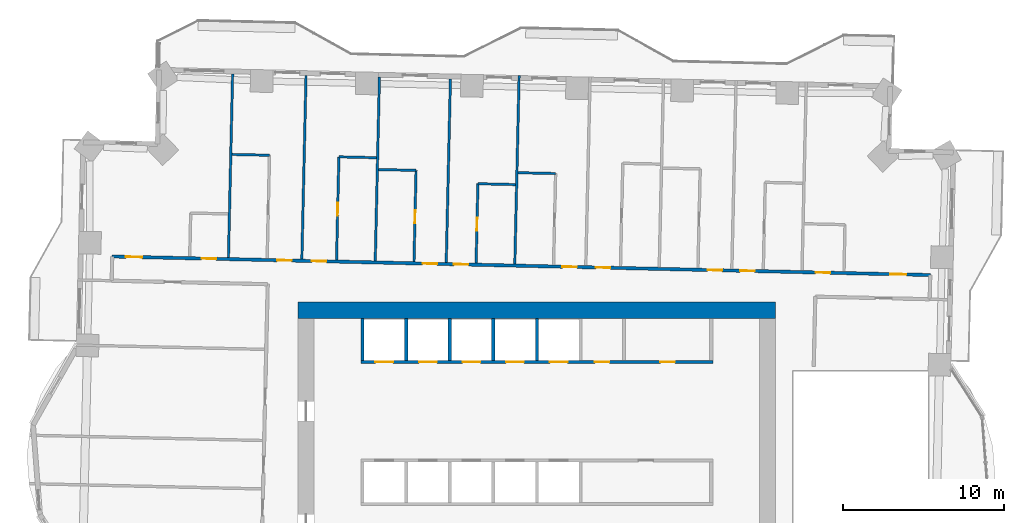
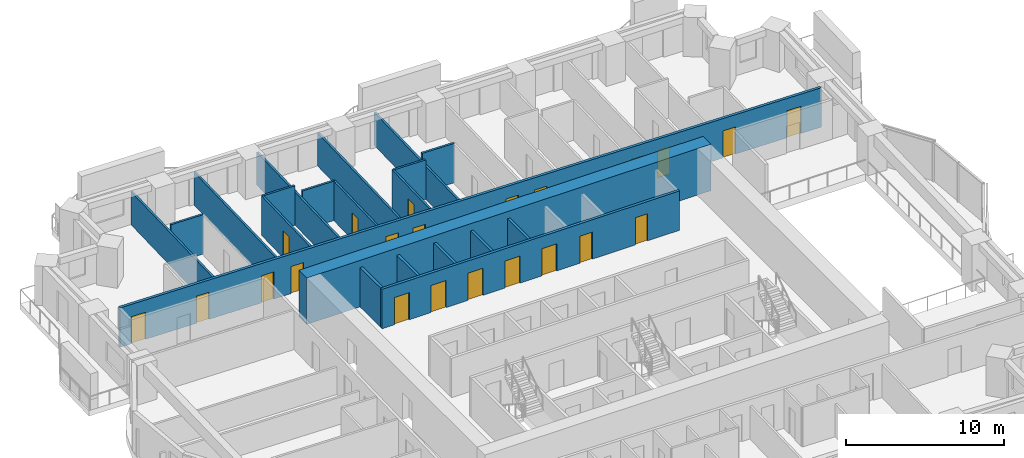
# One storey, part 10 of 16: 22 doors, 21 walls, 22 openings.
"""IFC4 building model written with IfcOpenShell, lengths in metres."""

from ifc_helpers import new_model, si_unit, direction, frame, frame_2d, origin, place, context, subcontext, project, spatial, rectangle, extrude, material, layer, layer_set, type_object, element, fill, save


model = new_model("IFC4")

# Units and contexts
model_context = context("Model", 3, precision=1e-05, world=origin(), true_north=direction((0.0, 1.0)))
body_context = subcontext(model_context, "Body", "Model", "MODEL_VIEW")
ifc_project = project(units=[si_unit("LENGTHUNIT", "METRE"), si_unit("AREAUNIT", "SQUARE_METRE"), si_unit("VOLUMEUNIT", "CUBIC_METRE"), si_unit("PLANEANGLEUNIT", "RADIAN"), si_unit("MASSUNIT", "GRAM", prefix="KILO")], contexts=[model_context])

# Site, building, storey
site_placement = place(None, origin())
site = spatial("IfcSite", under=ifc_project, at=site_placement, CompositionType="ELEMENT")
building_placement = place(site_placement, origin())
building = spatial("IfcBuilding", under=site, at=building_placement, Name="Mangrove Gate Tower", CompositionType="ELEMENT")
storey_placement = place(building_placement, frame((0.0, 0.0, 101.89990234375)))
storey = spatial("IfcBuildingStorey", under=building, at=storey_placement, Name="L25", CompositionType="ELEMENT", Elevation=101.89990234375)

# Wall, openings, doors
ifc_material_1 = material(Name="Concrete C70/85", Category="concrete")
ifc_layer_1 = layer(ifc_material_1, 0.199951171875)
ifc_layer_set_1 = layer_set([ifc_layer_1], Name="Core shaft wall 200 C70/85")
wall_type_1 = type_object("IfcWallType", Name="Core shaft wall 200 C70/85", PredefinedType="SHEAR", material=ifc_layer_set_1)
wall_1_placement = place(storey_placement, frame((-10.89990234375, 8.10009765625, 0.0), z_axis=(0.0, 0.0, 1.0), x_axis=(1.0, 0.0, 0.0)))
wall_1 = element("IfcWall", 1, at=wall_1_placement, inside=storey, type_object=wall_type_1, Name="WALL-L25-CORE-8", PredefinedType="SHEAR", context=body_context, shape_type="SweptSolid", body=[
    extrude(rectangle(XDim=21.7998046875, YDim=0.199951171875, at=frame_2d((10.89990234375, 0.0))), origin(), (0.0, 0.0, 1.0), 3.050048828125),
])
opening_1_placement = place(wall_1_placement, frame((0.89990234375, 0.0, 0.0)))
opening_1 = element("IfcOpeningElement", 2, at=opening_1_placement, cuts=wall_1, Name="Opening LD", PredefinedType="OPENING", context=body_context, shape_type="SweptSolid", body=[
    extrude(rectangle(XDim=1.10009765625, YDim=2.10009765625, at=frame_2d((0.550048828125, 1.050048828125))), frame((0.0, 0.10986328125, 0.0), z_axis=(0.0, -1.0, 0.0), x_axis=(1.0, 0.0, 0.0)), (0.0, 0.0, 1.0), 0.219970703125),
])
opening_2_placement = place(wall_1_placement, frame((3.60009765625, 0.0, 0.0)))
opening_2 = element("IfcOpeningElement", 3, at=opening_2_placement, cuts=wall_1, Name="Opening LD", PredefinedType="OPENING", context=body_context, shape_type="SweptSolid", body=[
    extrude(rectangle(XDim=1.10009765625, YDim=2.10009765625, at=frame_2d((0.550048828125, 1.050048828125))), frame((0.0, 0.10986328125, 0.0), z_axis=(0.0, -1.0, 0.0), x_axis=(1.0, 0.0, 0.0)), (0.0, 0.0, 1.0), 0.219970703125),
])
opening_3_placement = place(wall_1_placement, frame((6.300048828125, 0.0, 0.0)))
opening_3 = element("IfcOpeningElement", 4, at=opening_3_placement, cuts=wall_1, Name="Opening LD", PredefinedType="OPENING", context=body_context, shape_type="SweptSolid", body=[
    extrude(rectangle(XDim=1.10009765625, YDim=2.10009765625, at=frame_2d((0.550048828125, 1.050048828125))), frame((0.0, 0.10986328125, 0.0), z_axis=(0.0, -1.0, 0.0), x_axis=(1.0, 0.0, 0.0)), (0.0, 0.0, 1.0), 0.219970703125),
])
opening_4_placement = place(wall_1_placement, frame((9.0, 0.0, 0.0)))
opening_4 = element("IfcOpeningElement", 5, at=opening_4_placement, cuts=wall_1, Name="Opening LD", PredefinedType="OPENING", context=body_context, shape_type="SweptSolid", body=[
    extrude(rectangle(XDim=1.10009765625, YDim=2.10009765625, at=frame_2d((0.550048828125, 1.050048828125))), frame((0.0, 0.10986328125, 0.0), z_axis=(0.0, -1.0, 0.0), x_axis=(1.0, 0.0, 0.0)), (0.0, 0.0, 1.0), 0.219970703125),
])
opening_5_placement = place(wall_1_placement, frame((11.699951171875, 0.0, 0.0)))
opening_5 = element("IfcOpeningElement", 6, at=opening_5_placement, cuts=wall_1, Name="Opening LD", PredefinedType="OPENING", context=body_context, shape_type="SweptSolid", body=[
    extrude(rectangle(XDim=1.10009765625, YDim=2.10009765625, at=frame_2d((0.550048828125, 1.050048828125))), frame((0.0, 0.10986328125, 0.0), z_axis=(0.0, -1.0, 0.0), x_axis=(1.0, 0.0, 0.0)), (0.0, 0.0, 1.0), 0.219970703125),
])
opening_6_placement = place(wall_1_placement, frame((14.5, 0.0, 0.0)))
opening_6 = element("IfcOpeningElement", 7, at=opening_6_placement, cuts=wall_1, Name="Opening KD", PredefinedType="OPENING", context=body_context, shape_type="SweptSolid", body=[
    extrude(rectangle(XDim=0.89990234375, YDim=2.10009765625, at=frame_2d((0.449951171875, 1.050048828125))), frame((0.0, 0.10986328125, 0.0), z_axis=(0.0, -1.0, 0.0), x_axis=(1.0, 0.0, 0.0)), (0.0, 0.0, 1.0), 0.219970703125),
])
opening_7_placement = place(wall_1_placement, frame((18.550048828125, 0.0, 0.0)))
opening_7 = element("IfcOpeningElement", 8, at=opening_7_placement, cuts=wall_1, Name="Opening RD", PredefinedType="OPENING", context=body_context, shape_type="SweptSolid", body=[
    extrude(rectangle(XDim=0.89990234375, YDim=2.10009765625, at=frame_2d((0.449951171875, 1.050048828125))), frame((0.0, 0.10986328125, 0.0), z_axis=(0.0, -1.0, 0.0), x_axis=(1.0, 0.0, 0.0)), (0.0, 0.0, 1.0), 0.219970703125),
])
ifc_material_2 = material(Name="Fire-rated steel door set", Category="steel")
door_type_1 = type_object("IfcDoorType", Name="Core room door FD30S 900x2100", OperationType="SINGLE_SWING_RIGHT", PredefinedType="DOOR", material=ifc_material_2)
door_1_placement = place(opening_6_placement, origin())
door_1 = element("IfcDoor", 9, at=door_1_placement, inside=storey, type_object=door_type_1, Name="Core room door Linen store", OperationType="SINGLE_SWING_RIGHT", OverallHeight=2.10009765625, OverallWidth=0.89990234375, PredefinedType="DOOR", context=body_context, shape_type="SweptSolid", body=[
    extrude(rectangle(XDim=0.89990234375, YDim=2.10009765625, at=frame_2d((0.449951171875, 1.050048828125))), frame((0.0, 0.02490234375, 0.0), z_axis=(0.0, -1.0, 0.0), x_axis=(1.0, 0.0, 0.0)), (0.0, 0.0, 1.0), 0.050048828125),
])
fill(opening_6, door_1)
ifc_material_3 = material(Name="Stainless steel 316", Category="steel")
door_type_2 = type_object("IfcDoorType", Name="Lift landing door 1100x2100", OperationType="SLIDING_TO_LEFT", PredefinedType="DOOR", material=ifc_material_3)
door_2_placement = place(opening_1_placement, origin())
door_2 = element("IfcDoor", 10, at=door_2_placement, inside=storey, type_object=door_type_2, Name="Landing door LD P06", OperationType="SLIDING_TO_LEFT", OverallHeight=2.10009765625, OverallWidth=1.10009765625, PredefinedType="DOOR", context=body_context, shape_type="SweptSolid", body=[
    extrude(rectangle(XDim=1.10009765625, YDim=2.10009765625, at=frame_2d((0.550048828125, 1.050048828125))), frame((0.0, 0.02490234375, 0.0), z_axis=(0.0, -1.0, 0.0), x_axis=(1.0, 0.0, 0.0)), (0.0, 0.0, 1.0), 0.050048828125),
])
fill(opening_1, door_2)
door_3_placement = place(opening_2_placement, origin())
door_3 = element("IfcDoor", 11, at=door_3_placement, inside=storey, type_object=door_type_2, Name="Landing door LD P07", OperationType="SLIDING_TO_LEFT", OverallHeight=2.10009765625, OverallWidth=1.10009765625, PredefinedType="DOOR", context=body_context, shape_type="SweptSolid", body=[
    extrude(rectangle(XDim=1.10009765625, YDim=2.10009765625, at=frame_2d((0.550048828125, 1.050048828125))), frame((0.0, 0.02490234375, 0.0), z_axis=(0.0, -1.0, 0.0), x_axis=(1.0, 0.0, 0.0)), (0.0, 0.0, 1.0), 0.050048828125),
])
fill(opening_2, door_3)
door_4_placement = place(opening_3_placement, origin())
door_4 = element("IfcDoor", 12, at=door_4_placement, inside=storey, type_object=door_type_2, Name="Landing door LD P08", OperationType="SLIDING_TO_LEFT", OverallHeight=2.10009765625, OverallWidth=1.10009765625, PredefinedType="DOOR", context=body_context, shape_type="SweptSolid", body=[
    extrude(rectangle(XDim=1.10009765625, YDim=2.10009765625, at=frame_2d((0.550048828125, 1.050048828125))), frame((0.0, 0.02490234375, 0.0), z_axis=(0.0, -1.0, 0.0), x_axis=(1.0, 0.0, 0.0)), (0.0, 0.0, 1.0), 0.050048828125),
])
fill(opening_3, door_4)
door_5_placement = place(opening_4_placement, origin())
door_5 = element("IfcDoor", 13, at=door_5_placement, inside=storey, type_object=door_type_2, Name="Landing door LD P09", OperationType="SLIDING_TO_LEFT", OverallHeight=2.10009765625, OverallWidth=1.10009765625, PredefinedType="DOOR", context=body_context, shape_type="SweptSolid", body=[
    extrude(rectangle(XDim=1.10009765625, YDim=2.10009765625, at=frame_2d((0.550048828125, 1.050048828125))), frame((0.0, 0.02490234375, 0.0), z_axis=(0.0, -1.0, 0.0), x_axis=(1.0, 0.0, 0.0)), (0.0, 0.0, 1.0), 0.050048828125),
])
fill(opening_4, door_5)
door_6_placement = place(opening_5_placement, origin())
door_6 = element("IfcDoor", 14, at=door_6_placement, inside=storey, type_object=door_type_2, Name="Landing door LD P10", OperationType="SLIDING_TO_LEFT", OverallHeight=2.10009765625, OverallWidth=1.10009765625, PredefinedType="DOOR", context=body_context, shape_type="SweptSolid", body=[
    extrude(rectangle(XDim=1.10009765625, YDim=2.10009765625, at=frame_2d((0.550048828125, 1.050048828125))), frame((0.0, 0.02490234375, 0.0), z_axis=(0.0, -1.0, 0.0), x_axis=(1.0, 0.0, 0.0)), (0.0, 0.0, 1.0), 0.050048828125),
])
fill(opening_5, door_6)
ifc_material_4 = material(Name="Fire-rated steel door set", Category="steel")
door_type_3 = type_object("IfcDoorType", Name="Riser door FD30S 900x2100", OperationType="SINGLE_SWING_LEFT", PredefinedType="DOOR", material=ifc_material_4)
door_7_placement = place(opening_7_placement, origin())
door_7 = element("IfcDoor", 15, at=door_7_placement, inside=storey, type_object=door_type_3, Name="Riser door Switch room", OperationType="SINGLE_SWING_LEFT", OverallHeight=2.10009765625, OverallWidth=0.89990234375, PredefinedType="DOOR", context=body_context, shape_type="SweptSolid", body=[
    extrude(rectangle(XDim=0.89990234375, YDim=2.10009765625, at=frame_2d((0.449951171875, 1.050048828125))), frame((0.0, 0.02490234375, 0.0), z_axis=(0.0, -1.0, 0.0), x_axis=(1.0, 0.0, 0.0)), (0.0, 0.0, 1.0), 0.050048828125),
])
fill(opening_7, door_7)

# Walls
for number, where, z_axis, x_axis, name in (
    (16, (-10.800048828125, 8.199951171875, 0.0), (0.0, 0.0, 1.0), (0.0, 1.0, 0.0), "WALL-L25-CORE-26"),
    (17, (-8.10009765625, 8.199951171875, 0.0), (0.0, 0.0, 1.0), (0.0, 1.0, 0.0), "WALL-L25-CORE-27"),
    (18, (-5.39990234375, 8.199951171875, 0.0), (0.0, 0.0, 1.0), (0.0, 1.0, 0.0), "WALL-L25-CORE-28"),
    (19, (-2.699951171875, 8.199951171875, 0.0), (0.0, 0.0, 1.0), (0.0, 1.0, 0.0), "WALL-L25-CORE-29"),
    (20, (0.0, 8.199951171875, 0.0), (0.0, 0.0, 1.0), (0.0, 1.0, 0.0), "WALL-L25-CORE-30"),
):
    element("IfcWall", number, at=place(storey_placement, frame(where, z_axis=z_axis, x_axis=x_axis)), inside=storey, type_object=wall_type_1, Name=name, PredefinedType="SHEAR", context=body_context, shape_type="SweptSolid", body=[
        extrude(rectangle(XDim=2.60009765625, YDim=0.199951171875, at=frame_2d((1.300048828125, 0.0))), origin(), (0.0, 0.0, 1.0), 3.050048828125),
    ])
ifc_material_5 = material(Name="Concrete C70/85", Category="concrete")
ifc_layer_2 = layer(ifc_material_5, 1.0)
ifc_layer_set_2 = layer_set([ifc_layer_2], Name="Core wall 1000 C70/85")
wall_type_2 = type_object("IfcWallType", Name="Core wall 1000 C70/85", PredefinedType="SHEAR", material=ifc_layer_set_2)
wall_2_placement = place(storey_placement, frame((-14.800048828125, 11.300048828125, 0.0), z_axis=(0.0, 0.0, 1.0), x_axis=(1.0, 0.0, 0.0)))
element("IfcWall", 21, at=wall_2_placement, inside=storey, type_object=wall_type_2, Name="WALL-L25-CORE-2", PredefinedType="SHEAR", context=body_context, shape_type="SweptSolid", body=[
    extrude(rectangle(XDim=29.60009765625, YDim=1.0, at=frame_2d((14.800048828125, 0.0))), origin(), (0.0, 0.0, 1.0), 3.60009765625),
])

# Wall, openings, doors
ifc_material_6 = material(Name="Gypsum board on steel stud, EI 60", Category="steel")
ifc_layer_3 = layer(ifc_material_6, 0.199951171875)
ifc_layer_set_3 = layer_set([ifc_layer_3], Name="Corridor wall EI 60")
wall_type_3 = type_object("IfcWallType", Name="Corridor wall EI 60", PredefinedType="PARTITIONING", material=ifc_layer_set_3)
wall_3_placement = place(storey_placement, frame((-26.31591796875, 14.634033203125, 0.0), z_axis=(0.0, 0.0, 1.0), x_axis=(0.999742734556, -0.02268181435, 0.0)))
wall_3 = element("IfcWall", 22, at=wall_3_placement, inside=storey, type_object=wall_type_3, Name="WALL-L25-045", PredefinedType="PARTITIONING", context=body_context, shape_type="SweptSolid", body=[
    extrude(rectangle(XDim=50.707763671875, YDim=0.199951171875, at=frame_2d((25.35400390625, 0.0))), origin(), (0.0, 0.0, 1.0), 3.050048828125),
])
opening_8_placement = place(wall_3_placement, frame((48.22900390625, 0.0, 0.0)))
opening_8 = element("IfcOpeningElement", 23, at=opening_8_placement, cuts=wall_3, Name="Opening AD", PredefinedType="OPENING", context=body_context, shape_type="SweptSolid", body=[
    extrude(rectangle(XDim=1.0, YDim=2.10009765625, at=frame_2d((0.5, 1.050048828125))), frame((0.0, 0.10986328125, 0.0), z_axis=(0.0, -1.0, 0.0), x_axis=(1.0, 0.0, 0.0)), (0.0, 0.0, 1.0), 0.219970703125),
])
opening_9_placement = place(wall_3_placement, frame((43.60009765625, 0.0, 0.0)))
opening_9 = element("IfcOpeningElement", 24, at=opening_9_placement, cuts=wall_3, Name="Opening SD", PredefinedType="OPENING", context=body_context, shape_type="SweptSolid", body=[
    extrude(rectangle(XDim=0.89990234375, YDim=2.10009765625, at=frame_2d((0.449951171875, 1.050048828125))), frame((0.0, 0.10986328125, 0.0), z_axis=(0.0, -1.0, 0.0), x_axis=(1.0, 0.0, 0.0)), (0.0, 0.0, 1.0), 0.219970703125),
])
opening_10_placement = place(wall_3_placement, frame((38.925048828125, 0.0, 0.0)))
opening_10 = element("IfcOpeningElement", 25, at=opening_10_placement, cuts=wall_3, Name="Opening BD", PredefinedType="OPENING", context=body_context, shape_type="SweptSolid", body=[
    extrude(rectangle(XDim=0.89990234375, YDim=2.10009765625, at=frame_2d((0.449951171875, 1.050048828125))), frame((0.0, 0.10986328125, 0.0), z_axis=(0.0, -1.0, 0.0), x_axis=(1.0, 0.0, 0.0)), (0.0, 0.0, 1.0), 0.219970703125),
])
opening_11_placement = place(wall_3_placement, frame((36.89990234375, 0.0, 0.0)))
opening_11 = element("IfcOpeningElement", 26, at=opening_11_placement, cuts=wall_3, Name="Opening BD", PredefinedType="OPENING", context=body_context, shape_type="SweptSolid", body=[
    extrude(rectangle(XDim=0.89990234375, YDim=2.10009765625, at=frame_2d((0.449951171875, 1.050048828125))), frame((0.0, 0.10986328125, 0.0), z_axis=(0.0, -1.0, 0.0), x_axis=(1.0, 0.0, 0.0)), (0.0, 0.0, 1.0), 0.219970703125),
])
opening_12_placement = place(wall_3_placement, frame((29.97509765625, 0.0, 0.0)))
opening_12 = element("IfcOpeningElement", 27, at=opening_12_placement, cuts=wall_3, Name="Opening BD", PredefinedType="OPENING", context=body_context, shape_type="SweptSolid", body=[
    extrude(rectangle(XDim=0.89990234375, YDim=2.10009765625, at=frame_2d((0.449951171875, 1.050048828125))), frame((0.0, 0.10986328125, 0.0), z_axis=(0.0, -1.0, 0.0), x_axis=(1.0, 0.0, 0.0)), (0.0, 0.0, 1.0), 0.219970703125),
])
opening_13_placement = place(wall_3_placement, frame((27.89990234375, 0.0, 0.0)))
opening_13 = element("IfcOpeningElement", 28, at=opening_13_placement, cuts=wall_3, Name="Opening BD", PredefinedType="OPENING", context=body_context, shape_type="SweptSolid", body=[
    extrude(rectangle(XDim=0.89990234375, YDim=2.10009765625, at=frame_2d((0.449951171875, 1.050048828125))), frame((0.0, 0.10986328125, 0.0), z_axis=(0.0, -1.0, 0.0), x_axis=(1.0, 0.0, 0.0)), (0.0, 0.0, 1.0), 0.219970703125),
])
opening_14_placement = place(wall_3_placement, frame((21.175048828125, 0.0, 0.0)))
opening_14 = element("IfcOpeningElement", 29, at=opening_14_placement, cuts=wall_3, Name="Opening BD", PredefinedType="OPENING", context=body_context, shape_type="SweptSolid", body=[
    extrude(rectangle(XDim=0.89990234375, YDim=2.10009765625, at=frame_2d((0.449951171875, 1.050048828125))), frame((0.0, 0.10986328125, 0.0), z_axis=(0.0, -1.0, 0.0), x_axis=(1.0, 0.0, 0.0)), (0.0, 0.0, 1.0), 0.219970703125),
])
opening_15_placement = place(wall_3_placement, frame((19.25, 0.0, 0.0)))
opening_15 = element("IfcOpeningElement", 30, at=opening_15_placement, cuts=wall_3, Name="Opening BD", PredefinedType="OPENING", context=body_context, shape_type="SweptSolid", body=[
    extrude(rectangle(XDim=0.89990234375, YDim=2.10009765625, at=frame_2d((0.449951171875, 1.050048828125))), frame((0.0, 0.10986328125, 0.0), z_axis=(0.0, -1.0, 0.0), x_axis=(1.0, 0.0, 0.0)), (0.0, 0.0, 1.0), 0.219970703125),
])
opening_16_placement = place(wall_3_placement, frame((12.375, 0.0, 0.0)))
opening_16 = element("IfcOpeningElement", 31, at=opening_16_placement, cuts=wall_3, Name="Opening BD", PredefinedType="OPENING", context=body_context, shape_type="SweptSolid", body=[
    extrude(rectangle(XDim=0.89990234375, YDim=2.10009765625, at=frame_2d((0.449951171875, 1.050048828125))), frame((0.0, 0.10986328125, 0.0), z_axis=(0.0, -1.0, 0.0), x_axis=(1.0, 0.0, 0.0)), (0.0, 0.0, 1.0), 0.219970703125),
])
opening_17_placement = place(wall_3_placement, frame((10.22509765625, 0.0, 0.0)))
opening_17 = element("IfcOpeningElement", 32, at=opening_17_placement, cuts=wall_3, Name="Opening BD", PredefinedType="OPENING", context=body_context, shape_type="SweptSolid", body=[
    extrude(rectangle(XDim=0.89990234375, YDim=2.10009765625, at=frame_2d((0.449951171875, 1.050048828125))), frame((0.0, 0.10986328125, 0.0), z_axis=(0.0, -1.0, 0.0), x_axis=(1.0, 0.0, 0.0)), (0.0, 0.0, 1.0), 0.219970703125),
])
opening_18_placement = place(wall_3_placement, frame((0.85009765625, 0.0, 0.0)))
opening_18 = element("IfcOpeningElement", 33, at=opening_18_placement, cuts=wall_3, Name="Opening AD", PredefinedType="OPENING", context=body_context, shape_type="SweptSolid", body=[
    extrude(rectangle(XDim=1.0, YDim=2.10009765625, at=frame_2d((0.5, 1.050048828125))), frame((0.0, 0.10986328125, 0.0), z_axis=(0.0, -1.0, 0.0), x_axis=(1.0, 0.0, 0.0)), (0.0, 0.0, 1.0), 0.219970703125),
])
opening_19_placement = place(wall_3_placement, frame((5.550048828125, 0.0, 0.0)))
opening_19 = element("IfcOpeningElement", 34, at=opening_19_placement, cuts=wall_3, Name="Opening SD", PredefinedType="OPENING", context=body_context, shape_type="SweptSolid", body=[
    extrude(rectangle(XDim=0.89990234375, YDim=2.10009765625, at=frame_2d((0.449951171875, 1.050048828125))), frame((0.0, 0.10986328125, 0.0), z_axis=(0.0, -1.0, 0.0), x_axis=(1.0, 0.0, 0.0)), (0.0, 0.0, 1.0), 0.219970703125),
])
ifc_material_7 = material(Name="Timber door leaf", Category="wood")
door_type_4 = type_object("IfcDoorType", Name="Amenity door 1000", OperationType="SINGLE_SWING_LEFT", PredefinedType="DOOR", material=ifc_material_7)
door_8_placement = place(opening_8_placement, origin())
door_8 = element("IfcDoor", 35, at=door_8_placement, inside=storey, type_object=door_type_4, Name="DOOR-L25-LNG-c3b", OperationType="SINGLE_SWING_LEFT", OverallHeight=2.10009765625, OverallWidth=1.0, PredefinedType="DOOR", context=body_context, shape_type="SweptSolid", body=[
    extrude(rectangle(XDim=1.0, YDim=2.10009765625, at=frame_2d((0.5, 1.050048828125))), frame((0.0, 0.02490234375, 0.0), z_axis=(0.0, -1.0, 0.0), x_axis=(1.0, 0.0, 0.0)), (0.0, 0.0, 1.0), 0.050048828125),
])
fill(opening_8, door_8)
door_9_placement = place(opening_18_placement, origin())
door_9 = element("IfcDoor", 36, at=door_9_placement, inside=storey, type_object=door_type_4, Name="DOOR-L25-KIT-c5a", OperationType="SINGLE_SWING_RIGHT", OverallHeight=2.10009765625, OverallWidth=1.0, PredefinedType="DOOR", context=body_context, shape_type="SweptSolid", body=[
    extrude(rectangle(XDim=1.0, YDim=2.10009765625, at=frame_2d((0.5, 1.050048828125))), frame((0.0, 0.02490234375, 0.0), z_axis=(0.0, -1.0, 0.0), x_axis=(1.0, 0.0, 0.0)), (0.0, 0.0, 1.0), 0.050048828125),
])
fill(opening_18, door_9)
ifc_material_8 = material(Name="Timber door leaf", Category="wood")
door_type_5 = type_object("IfcDoorType", Name="Bedroom door 900", OperationType="SINGLE_SWING_LEFT", PredefinedType="DOOR", material=ifc_material_8)
door_10_placement = place(opening_10_placement, origin())
door_10 = element("IfcDoor", 37, at=door_10_placement, inside=storey, type_object=door_type_5, Name="DOOR-L25-BED-c308", OperationType="SINGLE_SWING_RIGHT", OverallHeight=2.10009765625, OverallWidth=0.89990234375, PredefinedType="DOOR", context=body_context, shape_type="SweptSolid", body=[
    extrude(rectangle(XDim=0.89990234375, YDim=2.10009765625, at=frame_2d((0.449951171875, 1.050048828125))), frame((0.0, 0.02490234375, 0.0), z_axis=(0.0, -1.0, 0.0), x_axis=(1.0, 0.0, 0.0)), (0.0, 0.0, 1.0), 0.050048828125),
])
fill(opening_10, door_10)
door_11_placement = place(opening_11_placement, origin())
door_11 = element("IfcDoor", 38, at=door_11_placement, inside=storey, type_object=door_type_5, Name="DOOR-L25-BED-c309", OperationType="SINGLE_SWING_LEFT", OverallHeight=2.10009765625, OverallWidth=0.89990234375, PredefinedType="DOOR", context=body_context, shape_type="SweptSolid", body=[
    extrude(rectangle(XDim=0.89990234375, YDim=2.10009765625, at=frame_2d((0.449951171875, 1.050048828125))), frame((0.0, 0.02490234375, 0.0), z_axis=(0.0, -1.0, 0.0), x_axis=(1.0, 0.0, 0.0)), (0.0, 0.0, 1.0), 0.050048828125),
])
fill(opening_11, door_11)
door_12_placement = place(opening_12_placement, origin())
door_12 = element("IfcDoor", 39, at=door_12_placement, inside=storey, type_object=door_type_5, Name="DOOR-L25-BED-c410", OperationType="SINGLE_SWING_RIGHT", OverallHeight=2.10009765625, OverallWidth=0.89990234375, PredefinedType="DOOR", context=body_context, shape_type="SweptSolid", body=[
    extrude(rectangle(XDim=0.89990234375, YDim=2.10009765625, at=frame_2d((0.449951171875, 1.050048828125))), frame((0.0, 0.02490234375, 0.0), z_axis=(0.0, -1.0, 0.0), x_axis=(1.0, 0.0, 0.0)), (0.0, 0.0, 1.0), 0.050048828125),
])
fill(opening_12, door_12)
door_13_placement = place(opening_13_placement, origin())
door_13 = element("IfcDoor", 40, at=door_13_placement, inside=storey, type_object=door_type_5, Name="DOOR-L25-BED-c411", OperationType="SINGLE_SWING_LEFT", OverallHeight=2.10009765625, OverallWidth=0.89990234375, PredefinedType="DOOR", context=body_context, shape_type="SweptSolid", body=[
    extrude(rectangle(XDim=0.89990234375, YDim=2.10009765625, at=frame_2d((0.449951171875, 1.050048828125))), frame((0.0, 0.02490234375, 0.0), z_axis=(0.0, -1.0, 0.0), x_axis=(1.0, 0.0, 0.0)), (0.0, 0.0, 1.0), 0.050048828125),
])
fill(opening_13, door_13)
door_14_placement = place(opening_14_placement, origin())
door_14 = element("IfcDoor", 41, at=door_14_placement, inside=storey, type_object=door_type_5, Name="DOOR-L25-BED-c412", OperationType="SINGLE_SWING_RIGHT", OverallHeight=2.10009765625, OverallWidth=0.89990234375, PredefinedType="DOOR", context=body_context, shape_type="SweptSolid", body=[
    extrude(rectangle(XDim=0.89990234375, YDim=2.10009765625, at=frame_2d((0.449951171875, 1.050048828125))), frame((0.0, 0.02490234375, 0.0), z_axis=(0.0, -1.0, 0.0), x_axis=(1.0, 0.0, 0.0)), (0.0, 0.0, 1.0), 0.050048828125),
])
fill(opening_14, door_14)
door_15_placement = place(opening_15_placement, origin())
door_15 = element("IfcDoor", 42, at=door_15_placement, inside=storey, type_object=door_type_5, Name="DOOR-L25-BED-c513", OperationType="SINGLE_SWING_LEFT", OverallHeight=2.10009765625, OverallWidth=0.89990234375, PredefinedType="DOOR", context=body_context, shape_type="SweptSolid", body=[
    extrude(rectangle(XDim=0.89990234375, YDim=2.10009765625, at=frame_2d((0.449951171875, 1.050048828125))), frame((0.0, 0.02490234375, 0.0), z_axis=(0.0, -1.0, 0.0), x_axis=(1.0, 0.0, 0.0)), (0.0, 0.0, 1.0), 0.050048828125),
])
fill(opening_15, door_15)
door_16_placement = place(opening_16_placement, origin())
door_16 = element("IfcDoor", 43, at=door_16_placement, inside=storey, type_object=door_type_5, Name="DOOR-L25-BED-c514", OperationType="SINGLE_SWING_RIGHT", OverallHeight=2.10009765625, OverallWidth=0.89990234375, PredefinedType="DOOR", context=body_context, shape_type="SweptSolid", body=[
    extrude(rectangle(XDim=0.89990234375, YDim=2.10009765625, at=frame_2d((0.449951171875, 1.050048828125))), frame((0.0, 0.02490234375, 0.0), z_axis=(0.0, -1.0, 0.0), x_axis=(1.0, 0.0, 0.0)), (0.0, 0.0, 1.0), 0.050048828125),
])
fill(opening_16, door_16)
door_17_placement = place(opening_17_placement, origin())
door_17 = element("IfcDoor", 44, at=door_17_placement, inside=storey, type_object=door_type_5, Name="DOOR-L25-BED-c515", OperationType="SINGLE_SWING_LEFT", OverallHeight=2.10009765625, OverallWidth=0.89990234375, PredefinedType="DOOR", context=body_context, shape_type="SweptSolid", body=[
    extrude(rectangle(XDim=0.89990234375, YDim=2.10009765625, at=frame_2d((0.449951171875, 1.050048828125))), frame((0.0, 0.02490234375, 0.0), z_axis=(0.0, -1.0, 0.0), x_axis=(1.0, 0.0, 0.0)), (0.0, 0.0, 1.0), 0.050048828125),
])
fill(opening_17, door_17)
ifc_material_9 = material(Name="Timber door leaf", Category="wood")
door_type_6 = type_object("IfcDoorType", Name="Service room door 900", OperationType="SINGLE_SWING_LEFT", PredefinedType="DOOR", material=ifc_material_9)
door_18_placement = place(opening_9_placement, origin())
door_18 = element("IfcDoor", 45, at=door_18_placement, inside=storey, type_object=door_type_6, Name="DOOR-L25-AWC-c3a", OperationType="SINGLE_SWING_RIGHT", OverallHeight=2.10009765625, OverallWidth=0.89990234375, PredefinedType="DOOR", context=body_context, shape_type="SweptSolid", body=[
    extrude(rectangle(XDim=0.89990234375, YDim=2.10009765625, at=frame_2d((0.449951171875, 1.050048828125))), frame((0.0, 0.02490234375, 0.0), z_axis=(0.0, -1.0, 0.0), x_axis=(1.0, 0.0, 0.0)), (0.0, 0.0, 1.0), 0.050048828125),
])
fill(opening_9, door_18)
door_19_placement = place(opening_19_placement, origin())
door_19 = element("IfcDoor", 46, at=door_19_placement, inside=storey, type_object=door_type_6, Name="DOOR-L25-WC-c5a", OperationType="SINGLE_SWING_LEFT", OverallHeight=2.10009765625, OverallWidth=0.89990234375, PredefinedType="DOOR", context=body_context, shape_type="SweptSolid", body=[
    extrude(rectangle(XDim=0.89990234375, YDim=2.10009765625, at=frame_2d((0.449951171875, 1.050048828125))), frame((0.0, 0.02490234375, 0.0), z_axis=(0.0, -1.0, 0.0), x_axis=(1.0, 0.0, 0.0)), (0.0, 0.0, 1.0), 0.050048828125),
])
fill(opening_19, door_19)

# Walls
ifc_material_10 = material(Name="Gypsum board on steel stud, EI 60", Category="steel")
ifc_layer_4 = layer(ifc_material_10, 0.14990234375)
ifc_layer_set_4 = layer_set([ifc_layer_4], Name="Party wall 150 EI 60")
wall_type_4 = type_object("IfcWallType", Name="Party wall 150 EI 60", PredefinedType="PARTITIONING", material=ifc_layer_set_4)
for number, where, z_axis, x_axis, name in (
    (47, (-19.111083984375, 14.574951171875, 0.0), (0.0, 0.0, 1.0), (0.022684355347, 0.999742676904, 0.0), "WALL-L25-047"),
    (48, (-14.56201171875, 14.470947265625, 0.0), (0.0, 0.0, 1.0), (0.022684355347, 0.999742676904, 0.0), "WALL-L25-049"),
):
    element("IfcWall", number, at=place(storey_placement, frame(where, z_axis=z_axis, x_axis=x_axis)), inside=storey, type_object=wall_type_4, Name=name, PredefinedType="PARTITIONING", context=body_context, shape_type="SweptSolid", body=[
        extrude(rectangle(XDim=11.3759765625, YDim=0.14990234375, at=frame_2d((5.68798828125, 0.0))), origin(), (0.0, 0.0, 1.0), 2.550048828125),
    ])

# Wall, opening, door
wall_4_placement = place(storey_placement, frame((-12.4130859375, 14.423095703125, 0.0), z_axis=(0.0, 0.0, 1.0), x_axis=(0.022696235044, 0.99974240728, 0.0)))
wall_4 = element("IfcWall", 49, at=wall_4_placement, inside=storey, type_object=wall_type_4, Name="WALL-L25-050", PredefinedType="PARTITIONING", context=body_context, shape_type="SweptSolid", body=[
    extrude(rectangle(XDim=6.3896484375, YDim=0.14990234375, at=frame_2d((3.19482421875, 0.0))), origin(), (0.0, 0.0, 1.0), 3.050048828125),
])
opening_20_placement = place(wall_4_placement, frame((2.7451171875, 0.0, 0.0)))
opening_20 = element("IfcOpeningElement", 50, at=opening_20_placement, cuts=wall_4, Name="Opening ED", PredefinedType="OPENING", context=body_context, shape_type="SweptSolid", body=[
    extrude(rectangle(XDim=0.800048828125, YDim=2.10009765625, at=frame_2d((0.39990234375, 1.050048828125))), frame((0.0, 0.0849609375, 0.0), z_axis=(0.0, -1.0, 0.0), x_axis=(1.0, 0.0, 0.0)), (0.0, 0.0, 1.0), 0.169921875),
])
ifc_material_11 = material(Name="Timber door leaf", Category="wood")
door_type_7 = type_object("IfcDoorType", Name="En-suite door 800", OperationType="SINGLE_SWING_LEFT", PredefinedType="DOOR", material=ifc_material_11)
door_20_placement = place(opening_20_placement, origin())
door_20 = element("IfcDoor", 51, at=door_20_placement, inside=storey, type_object=door_type_7, Name="DOOR-L25-ENS-c514", OperationType="SINGLE_SWING_RIGHT", OverallHeight=2.10009765625, OverallWidth=0.800048828125, PredefinedType="DOOR", context=body_context, shape_type="SweptSolid", body=[
    extrude(rectangle(XDim=0.800048828125, YDim=2.10009765625, at=frame_2d((0.39990234375, 1.050048828125))), frame((0.0, 0.02490234375, 0.0), z_axis=(0.0, -1.0, 0.0), x_axis=(1.0, 0.0, 0.0)), (0.0, 0.0, 1.0), 0.050048828125),
])
fill(opening_20, door_20)

# Wall
wall_5_placement = place(storey_placement, frame((-10.013916015625, 14.367919921875, 0.0), z_axis=(0.0, 0.0, 1.0), x_axis=(0.022662905301, 0.999743163379, 0.0)))
element("IfcWall", 52, at=wall_5_placement, inside=storey, type_object=wall_type_4, Name="WALL-L25-051", PredefinedType="PARTITIONING", context=body_context, shape_type="SweptSolid", body=[
    extrude(rectangle(XDim=11.3759765625, YDim=0.14990234375, at=frame_2d((5.68798828125, 0.0))), origin(), (0.0, 0.0, 1.0), 2.550048828125),
])

# Wall, opening, door
wall_6_placement = place(storey_placement, frame((-7.614013671875, 14.31396484375, 0.0), z_axis=(0.0, 0.0, 1.0), x_axis=(0.022604794261, 0.999744478993, 0.0)))
wall_6 = element("IfcWall", 53, at=wall_6_placement, inside=storey, type_object=wall_type_4, Name="WALL-L25-052", PredefinedType="PARTITIONING", context=body_context, shape_type="SweptSolid", body=[
    extrude(rectangle(XDim=5.659423828125, YDim=0.14990234375, at=frame_2d((2.82958984375, 0.0))), origin(), (0.0, 0.0, 1.0), 3.050048828125),
])
opening_21_placement = place(wall_6_placement, frame((2.3798828125, 0.0, 0.0)))
opening_21 = element("IfcOpeningElement", 54, at=opening_21_placement, cuts=wall_6, Name="Opening ED", PredefinedType="OPENING", context=body_context, shape_type="SweptSolid", body=[
    extrude(rectangle(XDim=0.800048828125, YDim=2.10009765625, at=frame_2d((0.39990234375, 1.050048828125))), frame((0.0, 0.0849609375, 0.0), z_axis=(0.0, -1.0, 0.0), x_axis=(1.0, 0.0, 0.0)), (0.0, 0.0, 1.0), 0.169921875),
])
door_21_placement = place(opening_21_placement, origin())
door_21 = element("IfcDoor", 55, at=door_21_placement, inside=storey, type_object=door_type_7, Name="DOOR-L25-ENS-c513", OperationType="SINGLE_SWING_LEFT", OverallHeight=2.10009765625, OverallWidth=0.800048828125, PredefinedType="DOOR", context=body_context, shape_type="SweptSolid", body=[
    extrude(rectangle(XDim=0.800048828125, YDim=2.10009765625, at=frame_2d((0.39990234375, 1.050048828125))), frame((0.0, 0.02490234375, 0.0), z_axis=(0.0, -1.0, 0.0), x_axis=(1.0, 0.0, 0.0)), (0.0, 0.0, 1.0), 0.050048828125),
])
fill(opening_21, door_21)

# Wall
wall_7_placement = place(storey_placement, frame((-5.614990234375, 14.26806640625, 0.0), z_axis=(0.0, 0.0, 1.0), x_axis=(0.022684355347, 0.999742676904, 0.0)))
element("IfcWall", 56, at=wall_7_placement, inside=storey, type_object=wall_type_4, Name="WALL-L25-053", PredefinedType="PARTITIONING", context=body_context, shape_type="SweptSolid", body=[
    extrude(rectangle(XDim=11.3759765625, YDim=0.14990234375, at=frame_2d((5.68798828125, 0.0))), origin(), (0.0, 0.0, 1.0), 2.550048828125),
])

# Wall, opening, door
wall_8_placement = place(storey_placement, frame((-3.764892578125, 14.22607421875, 0.0), z_axis=(0.0, 0.0, 1.0), x_axis=(0.022527535496, 0.999746222871, 0.0)))
wall_8 = element("IfcWall", 57, at=wall_8_placement, inside=storey, type_object=wall_type_4, Name="WALL-L25-054", PredefinedType="PARTITIONING", context=body_context, shape_type="SweptSolid", body=[
    extrude(rectangle(XDim=4.920166015625, YDim=0.14990234375, at=frame_2d((2.4599609375, 0.0))), origin(), (0.0, 0.0, 1.0), 3.050048828125),
])
opening_22_placement = place(wall_8_placement, frame((2.010009765625, 0.0, 0.0)))
opening_22 = element("IfcOpeningElement", 58, at=opening_22_placement, cuts=wall_8, Name="Opening ED", PredefinedType="OPENING", context=body_context, shape_type="SweptSolid", body=[
    extrude(rectangle(XDim=0.800048828125, YDim=2.10009765625, at=frame_2d((0.39990234375, 1.050048828125))), frame((0.0, 0.0849609375, 0.0), z_axis=(0.0, -1.0, 0.0), x_axis=(1.0, 0.0, 0.0)), (0.0, 0.0, 1.0), 0.169921875),
])
door_22_placement = place(opening_22_placement, origin())
door_22 = element("IfcDoor", 59, at=door_22_placement, inside=storey, type_object=door_type_7, Name="DOOR-L25-ENS-c412", OperationType="SINGLE_SWING_RIGHT", OverallHeight=2.10009765625, OverallWidth=0.800048828125, PredefinedType="DOOR", context=body_context, shape_type="SweptSolid", body=[
    extrude(rectangle(XDim=0.800048828125, YDim=2.10009765625, at=frame_2d((0.39990234375, 1.050048828125))), frame((0.0, 0.02490234375, 0.0), z_axis=(0.0, -1.0, 0.0), x_axis=(1.0, 0.0, 0.0)), (0.0, 0.0, 1.0), 0.050048828125),
])
fill(opening_22, door_22)

# Walls
wall_9_placement = place(storey_placement, frame((-1.365966796875, 14.172119140625, 0.0), z_axis=(0.0, 0.0, 1.0), x_axis=(0.022687206857, 0.999742612198, 0.0)))
element("IfcWall", 60, at=wall_9_placement, inside=storey, type_object=wall_type_4, Name="WALL-L25-055", PredefinedType="PARTITIONING", context=body_context, shape_type="SweptSolid", body=[
    extrude(rectangle(XDim=11.67578125, YDim=0.14990234375, at=frame_2d((5.837890625, 0.0))), origin(), (0.0, 0.0, 1.0), 2.550048828125),
])
wall_10_placement = place(storey_placement, frame((-3.657958984375, 19.14111328125, 0.0), z_axis=(0.0, 0.0, 1.0), x_axis=(0.999738082346, -0.022885950011, 0.0)))
element("IfcWall", 61, at=wall_10_placement, inside=storey, type_object=wall_type_4, Name="WALL-L25-067", PredefinedType="PARTITIONING", context=body_context, shape_type="SweptSolid", body=[
    extrude(rectangle(XDim=2.325439453125, YDim=0.14990234375, at=frame_2d((1.16259765625, 0.0))), origin(), (0.0, 0.0, 1.0), 3.050048828125),
])
wall_11_placement = place(storey_placement, frame((-9.81396484375, 20.02099609375, 0.0), z_axis=(0.0, 0.0, 1.0), x_axis=(0.999740260747, -0.02279059109, 0.0)))
element("IfcWall", 62, at=wall_11_placement, inside=storey, type_object=wall_type_4, Name="WALL-L25-069", PredefinedType="PARTITIONING", context=body_context, shape_type="SweptSolid", body=[
    extrude(rectangle(XDim=2.324462890625, YDim=0.14990234375, at=frame_2d((1.162109375, 0.0))), origin(), (0.0, 0.0, 1.0), 3.050048828125),
])
wall_12_placement = place(storey_placement, frame((-1.1669921875, 19.824951171875, 0.0), z_axis=(0.0, 0.0, 1.0), x_axis=(0.999740478815, -0.022781023197, 0.0)))
element("IfcWall", 63, at=wall_12_placement, inside=storey, type_object=wall_type_4, Name="WALL-L25-070", PredefinedType="PARTITIONING", context=body_context, shape_type="SweptSolid", body=[
    extrude(rectangle(XDim=2.325439453125, YDim=0.14990234375, at=frame_2d((1.16259765625, 0.0))), origin(), (0.0, 0.0, 1.0), 3.050048828125),
])
for number, where, z_axis, x_axis, name in (
    (64, (-18.89501953125, 20.95703125, 0.0), (0.0, 0.0, 1.0), (0.999749744571, -0.022370700241, 0.0), "WALL-L25-072"),
    (65, (-12.27197265625, 20.806884765625, 0.0), (0.0, 0.0, 1.0), (0.999740260747, -0.02279059109, 0.0), "WALL-L25-073"),
):
    element("IfcWall", number, at=place(storey_placement, frame(where, z_axis=z_axis, x_axis=x_axis)), inside=storey, type_object=wall_type_4, Name=name, PredefinedType="PARTITIONING", context=body_context, shape_type="SweptSolid", body=[
        extrude(rectangle(XDim=2.324462890625, YDim=0.14990234375, at=frame_2d((1.162109375, 0.0))), origin(), (0.0, 0.0, 1.0), 3.050048828125),
    ])

save(model, "model.ifc")
